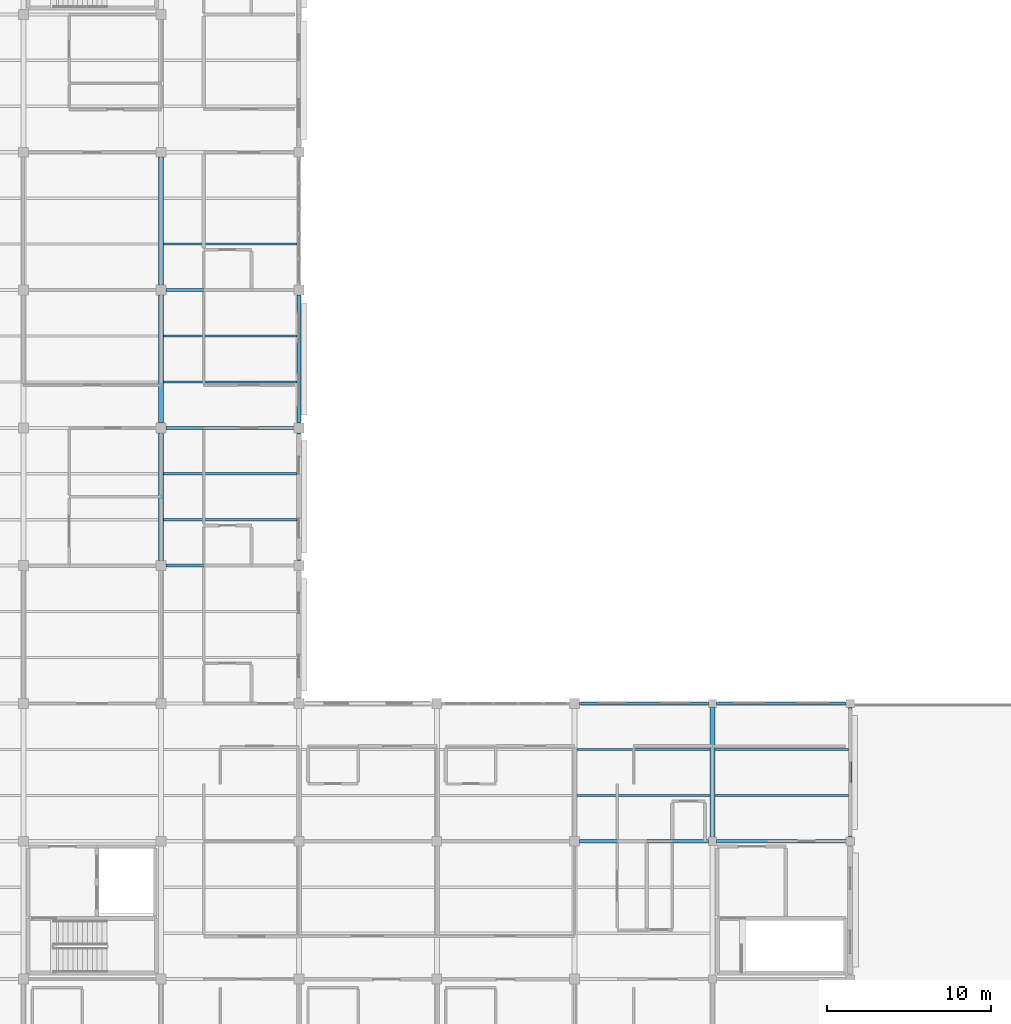
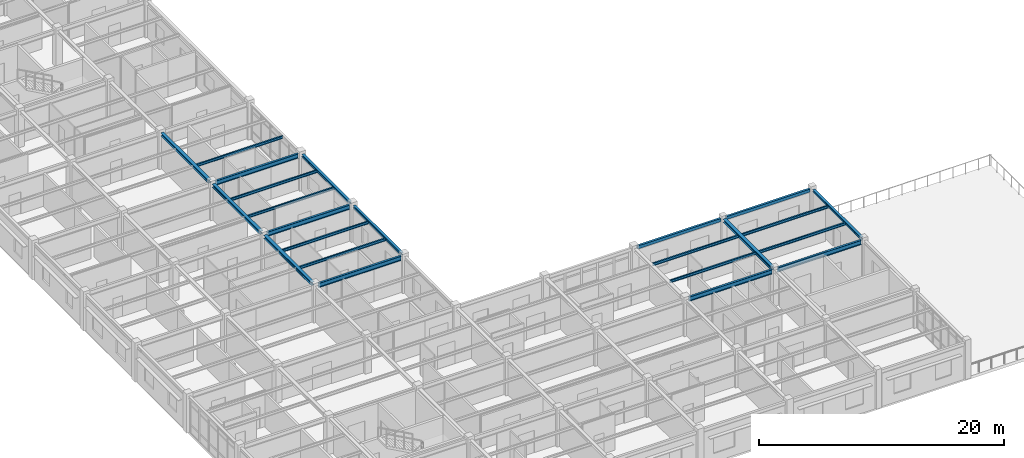
# One storey, part 13 of 70: 23 beams.
"""IFC4 building model written with IfcOpenShell, lengths in metres."""

from ifc_helpers import new_model, si_unit, direction, frame, origin, origin_2d, place, context, subcontext, project, spatial, hollow_rectangle, i_section, extrude, material, material_profile, profile_set, type_object, element, save


model = new_model("IFC4")

# Units and contexts
model_context = context("Model", 3, precision=1e-05, world=origin(), true_north=direction((0.0, 1.0)))
body_context = subcontext(model_context, "Body", "Model", "MODEL_VIEW")
ifc_project = project(units=[si_unit("LENGTHUNIT", "METRE"), si_unit("AREAUNIT", "SQUARE_METRE"), si_unit("VOLUMEUNIT", "CUBIC_METRE"), si_unit("PLANEANGLEUNIT", "RADIAN"), si_unit("MASSUNIT", "GRAM", prefix="KILO")], contexts=[model_context])

# Site, building, storey
site_placement = place(None, origin())
site = spatial("IfcSite", under=ifc_project, at=site_placement, CompositionType="ELEMENT")
building_placement = place(site_placement, origin())
building = spatial("IfcBuilding", under=site, at=building_placement, Name="Bramfleet General Hospital", CompositionType="ELEMENT")
storey_placement = place(building_placement, frame((0.0, 0.0, 22.5)))
storey = spatial("IfcBuildingStorey", under=building, at=storey_placement, Name="L05", CompositionType="ELEMENT", Elevation=22.5)

# Beams
ifc_material = material(Name="Steel S355", Category="steel")
ifc_material_profile_1 = material_profile(ifc_material, i_section(OverallWidth=0.239990234375, OverallDepth=0.22998046875, WebThickness=0.007568359375, FlangeThickness=0.011962890625, FilletRadius=0.02099609375, at=origin_2d()), Name="HEA 240")
ifc_profile_set_1 = profile_set([ifc_material_profile_1], Name="Steel S355")
beam_type_1 = type_object("IfcBeamType", Name="BM-HEA240", PredefinedType="SPANDREL", material=ifc_profile_set_1)
for number, where, z_axis, x_axis, name in (
    (1, (117.60009765625, 33.89990234375, 3.5048828125), (0.0, 1.0, 0.0), (-1.0, 0.0, 0.0), "L05 Grid Beam Y 14-04"),
    (2, (117.60009765625, 42.300048828125, 3.5048828125), (0.0, 1.0, 0.0), (-1.0, 0.0, 0.0), "L05 Grid Beam Y 14-05"),
):
    element("IfcBeam", number, at=place(storey_placement, frame(where, z_axis=z_axis, x_axis=x_axis)), inside=storey, type_object=beam_type_1, Name=name, PredefinedType="SPANDREL", context=body_context, shape_type="SweptSolid", body=[
        extrude(i_section(OverallWidth=0.239990234375, OverallDepth=0.22998046875, WebThickness=0.007568359375, FlangeThickness=0.011962890625, FilletRadius=0.02099609375, at=origin_2d()), origin(), (0.0, 0.0, 1.0), 7.800048828125),
    ])
beam_1_placement = place(storey_placement, frame((151.199951171875, 17.050048828125, 3.4951171875), z_axis=(0.0, 1.0, 0.0), x_axis=(-1.0, 0.0, 0.0)))
element("IfcBeam", 3, at=beam_1_placement, inside=storey, type_object=beam_type_1, Name="L05 Grid Beam Y 18-02", PredefinedType="SPANDREL", context=body_context, shape_type="SweptSolid", body=[
    extrude(i_section(OverallWidth=0.239990234375, OverallDepth=0.22998046875, WebThickness=0.007568359375, FlangeThickness=0.011962890625, FilletRadius=0.02099609375, at=origin_2d()), origin(), (0.0, 0.0, 1.0), 7.89990234375),
])
ifc_material_profile_2 = material_profile(ifc_material, i_section(OverallWidth=0.300048828125, OverallDepth=0.31005859375, WebThickness=0.009033203125, FlangeThickness=0.015380859375, FilletRadius=0.027099609375, at=origin_2d()), Name="HEA 320")
ifc_profile_set_2 = profile_set([ifc_material_profile_2], Name="Steel S355")
beam_type_2 = type_object("IfcBeamType", Name="BM-HEA320", PredefinedType="BEAM", material=ifc_profile_set_2)
for number, where, z_axis, x_axis, name in (
    (4, (109.199951171875, 33.89990234375, 3.465087890625), (0.0, 1.0, 0.0), (-1.0, 0.0, 0.0), "L05 Grid Beam Y 13-04"),
    (5, (109.199951171875, 42.300048828125, 3.465087890625), (0.0, 1.0, 0.0), (-1.0, 0.0, 0.0), "L05 Grid Beam Y 13-05"),
    (6, (109.199951171875, 50.699951171875, 3.465087890625), (0.0, 1.0, 0.0), (-1.0, 0.0, 0.0), "L05 Grid Beam Y 13-06"),
):
    element("IfcBeam", number, at=place(storey_placement, frame(where, z_axis=z_axis, x_axis=x_axis)), inside=storey, type_object=beam_type_2, Name=name, PredefinedType="BEAM", context=body_context, shape_type="SweptSolid", body=[
        extrude(i_section(OverallWidth=0.300048828125, OverallDepth=0.31005859375, WebThickness=0.009033203125, FlangeThickness=0.015380859375, FilletRadius=0.027099609375, at=origin_2d()), origin(), (0.0, 0.0, 1.0), 7.800048828125),
    ])
beam_2_placement = place(storey_placement, frame((142.800048828125, 17.050048828125, 3.455078125), z_axis=(0.0, 1.0, 0.0), x_axis=(-1.0, 0.0, 0.0)))
element("IfcBeam", 7, at=beam_2_placement, inside=storey, type_object=beam_type_2, Name="L05 Grid Beam Y 17-02", PredefinedType="BEAM", context=body_context, shape_type="SweptSolid", body=[
    extrude(i_section(OverallWidth=0.300048828125, OverallDepth=0.31005859375, WebThickness=0.009033203125, FlangeThickness=0.015380859375, FilletRadius=0.027099609375, at=origin_2d()), origin(), (0.0, 0.0, 1.0), 7.89990234375),
])
ifc_material_profile_3 = material_profile(ifc_material, i_section(OverallWidth=0.135009765625, OverallDepth=0.27001953125, WebThickness=0.006591796875, FlangeThickness=0.01025390625, FilletRadius=0.014892578125, at=origin_2d()), Name="IPE 270")
ifc_profile_set_3 = profile_set([ifc_material_profile_3], Name="Steel S355")
beam_type_3 = type_object("IfcBeamType", Name="BM-IPE270", PredefinedType="JOIST", material=ifc_profile_set_3)
for number, where, z_axis, x_axis, name in (
    (8, (109.35009765625, 36.39990234375, 3.485107421875), (1.0, 0.0, 0.0), (0.0, 1.0, 0.0), "L05 Secondary Joist 13-04-1"),
    (9, (109.35009765625, 39.199951171875, 3.485107421875), (1.0, 0.0, 0.0), (0.0, 1.0, 0.0), "L05 Secondary Joist 13-04-2"),
    (10, (109.35009765625, 44.800048828125, 3.485107421875), (1.0, 0.0, 0.0), (0.0, 1.0, 0.0), "L05 Secondary Joist 13-05-1"),
    (11, (109.35009765625, 47.60009765625, 3.485107421875), (1.0, 0.0, 0.0), (0.0, 1.0, 0.0), "L05 Secondary Joist 13-05-2"),
    (12, (109.35009765625, 53.199951171875, 3.485107421875), (1.0, 0.0, 0.0), (0.0, 1.0, 0.0), "L05 Secondary Joist 13-06-1"),
):
    element("IfcBeam", number, at=place(storey_placement, frame(where, z_axis=z_axis, x_axis=x_axis)), inside=storey, type_object=beam_type_3, Name=name, PredefinedType="JOIST", context=body_context, shape_type="SweptSolid", body=[
        extrude(i_section(OverallWidth=0.135009765625, OverallDepth=0.27001953125, WebThickness=0.006591796875, FlangeThickness=0.01025390625, FilletRadius=0.014892578125, at=origin_2d()), origin(), (0.0, 0.0, 1.0), 8.1298828125),
    ])
for number, where, z_axis, x_axis, name in (
    (13, (134.550048828125, 19.60009765625, 3.485107421875), (1.0, 0.0, 0.0), (0.0, 1.0, 0.0), "L05 Secondary Joist 16-02-1"),
    (14, (134.550048828125, 22.39990234375, 3.485107421875), (1.0, 0.0, 0.0), (0.0, 1.0, 0.0), "L05 Secondary Joist 16-02-2"),
):
    element("IfcBeam", number, at=place(storey_placement, frame(where, z_axis=z_axis, x_axis=x_axis)), inside=storey, type_object=beam_type_3, Name=name, PredefinedType="JOIST", context=body_context, shape_type="SweptSolid", body=[
        extrude(i_section(OverallWidth=0.135009765625, OverallDepth=0.27001953125, WebThickness=0.006591796875, FlangeThickness=0.01025390625, FilletRadius=0.014892578125, at=origin_2d()), origin(), (0.0, 0.0, 1.0), 8.099853515625),
    ])
for number, where, z_axis, x_axis, name in (
    (15, (142.949951171875, 19.60009765625, 3.47509765625), (1.0, 0.0, 0.0), (0.0, 1.0, 0.0), "L05 Secondary Joist 17-02-1"),
    (16, (142.949951171875, 22.39990234375, 3.47509765625), (1.0, 0.0, 0.0), (0.0, 1.0, 0.0), "L05 Secondary Joist 17-02-2"),
):
    element("IfcBeam", number, at=place(storey_placement, frame(where, z_axis=z_axis, x_axis=x_axis)), inside=storey, type_object=beam_type_3, Name=name, PredefinedType="JOIST", context=body_context, shape_type="SweptSolid", body=[
        extrude(i_section(OverallWidth=0.135009765625, OverallDepth=0.27001953125, WebThickness=0.006591796875, FlangeThickness=0.01025390625, FilletRadius=0.014892578125, at=origin_2d()), origin(), (0.0, 0.0, 1.0), 8.130126953125),
    ])
ifc_material_profile_4 = material_profile(ifc_material, i_section(OverallWidth=0.18994140625, OverallDepth=0.449951171875, WebThickness=0.009521484375, FlangeThickness=0.0146484375, FilletRadius=0.02099609375, at=origin_2d()), Name="IPE 450")
ifc_profile_set_4 = profile_set([ifc_material_profile_4], Name="Steel S355")
beam_type_4 = type_object("IfcBeamType", Name="BM-IPE450", PredefinedType="BEAM", material=ifc_profile_set_4)
for number, where, z_axis, x_axis, name in (
    (17, (109.5, 33.60009765625, 3.39501953125), (1.0, 0.0, 0.0), (0.0, 1.0, 0.0), "L05 Grid Beam X 13-04"),
    (18, (109.5, 42.0, 3.39501953125), (1.0, 0.0, 0.0), (0.0, 1.0, 0.0), "L05 Grid Beam X 13-05"),
    (19, (109.5, 50.39990234375, 3.39501953125), (1.0, 0.0, 0.0), (0.0, 1.0, 0.0), "L05 Grid Beam X 13-06"),
):
    element("IfcBeam", number, at=place(storey_placement, frame(where, z_axis=z_axis, x_axis=x_axis)), inside=storey, type_object=beam_type_4, Name=name, PredefinedType="BEAM", context=body_context, shape_type="SweptSolid", body=[
        extrude(i_section(OverallWidth=0.18994140625, OverallDepth=0.449951171875, WebThickness=0.009521484375, FlangeThickness=0.0146484375, FilletRadius=0.02099609375, at=origin_2d()), origin(), (0.0, 0.0, 1.0), 7.800048828125),
    ])
beam_3_placement = place(storey_placement, frame((134.699951171875, 16.800048828125, 3.39501953125), z_axis=(1.0, 0.0, 0.0), x_axis=(0.0, 1.0, 0.0)))
element("IfcBeam", 20, at=beam_3_placement, inside=storey, type_object=beam_type_4, Name="L05 Grid Beam X 16-02", PredefinedType="BEAM", context=body_context, shape_type="SweptSolid", body=[
    extrude(i_section(OverallWidth=0.18994140625, OverallDepth=0.449951171875, WebThickness=0.009521484375, FlangeThickness=0.0146484375, FilletRadius=0.02099609375, at=origin_2d()), origin(), (0.0, 0.0, 1.0), 7.85009765625),
])
beam_4_placement = place(storey_placement, frame((143.050048828125, 16.800048828125, 3.385009765625), z_axis=(1.0, 0.0, 0.0), x_axis=(0.0, 1.0, 0.0)))
element("IfcBeam", 21, at=beam_4_placement, inside=storey, type_object=beam_type_4, Name="L05 Grid Beam X 17-02", PredefinedType="BEAM", context=body_context, shape_type="SweptSolid", body=[
    extrude(i_section(OverallWidth=0.18994140625, OverallDepth=0.449951171875, WebThickness=0.009521484375, FlangeThickness=0.0146484375, FilletRadius=0.02099609375, at=origin_2d()), origin(), (0.0, 0.0, 1.0), 7.89990234375),
])
ifc_material_profile_5 = material_profile(ifc_material, hollow_rectangle(XDim=0.199951171875, YDim=0.300048828125, WallThickness=0.012451171875, at=origin_2d()), Name="RHS 300x200x12.5")
ifc_profile_set_5 = profile_set([ifc_material_profile_5], Name="Steel S355")
beam_type_5 = type_object("IfcBeamType", Name="BM-RHS300", PredefinedType="SPANDREL", material=ifc_profile_set_5)
beam_5_placement = place(storey_placement, frame((134.699951171875, 25.199951171875, 3.469970703125), z_axis=(1.0, 0.0, 0.0), x_axis=(0.0, 1.0, 0.0)))
element("IfcBeam", 22, at=beam_5_placement, inside=storey, type_object=beam_type_5, Name="L05 Grid Beam X 16-03", PredefinedType="SPANDREL", context=body_context, shape_type="SweptSolid", body=[
    extrude(hollow_rectangle(XDim=0.199951171875, YDim=0.300048828125, WallThickness=0.012451171875, at=origin_2d()), origin(), (0.0, 0.0, 1.0), 7.85009765625),
])
beam_6_placement = place(storey_placement, frame((143.050048828125, 25.199951171875, 3.4599609375), z_axis=(1.0, 0.0, 0.0), x_axis=(0.0, 1.0, 0.0)))
element("IfcBeam", 23, at=beam_6_placement, inside=storey, type_object=beam_type_5, Name="L05 Grid Beam X 17-03", PredefinedType="SPANDREL", context=body_context, shape_type="SweptSolid", body=[
    extrude(hollow_rectangle(XDim=0.199951171875, YDim=0.300048828125, WallThickness=0.012451171875, at=origin_2d()), origin(), (0.0, 0.0, 1.0), 7.89990234375),
])

save(model, "model.ifc")
